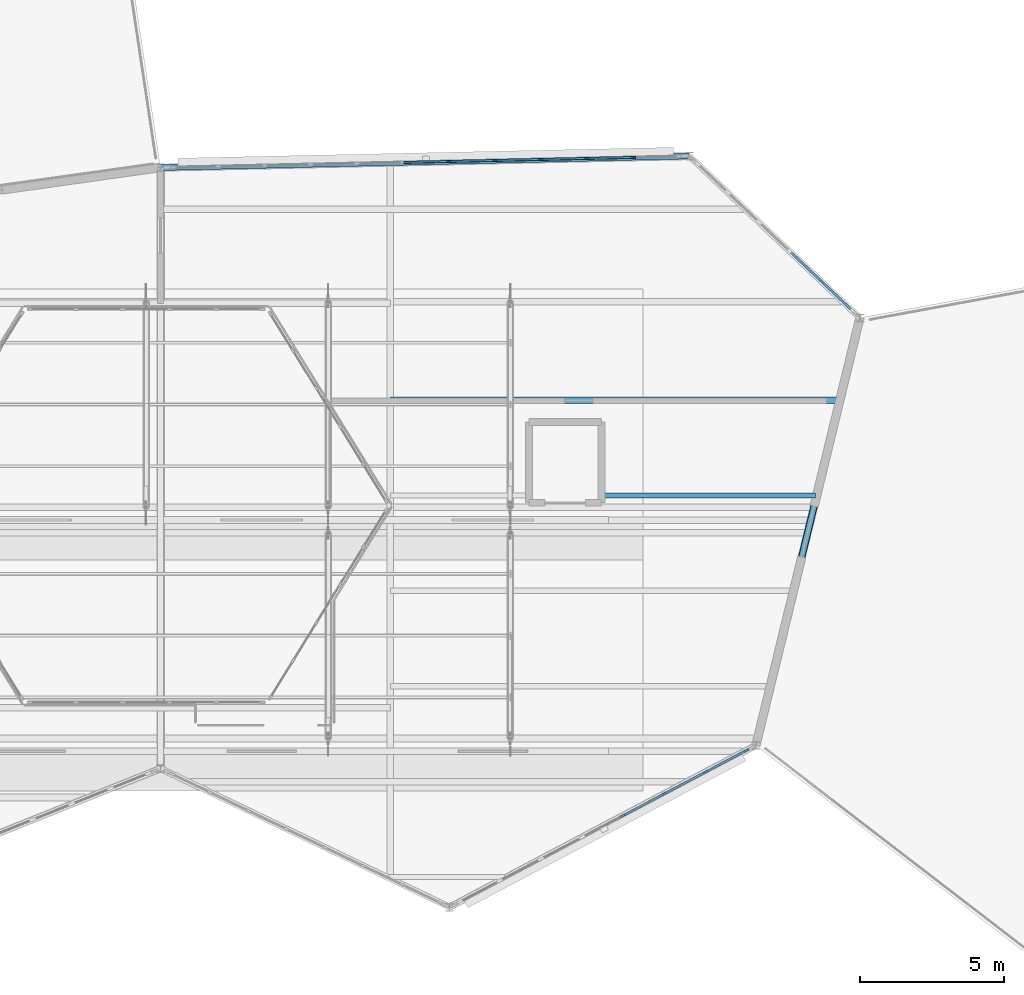
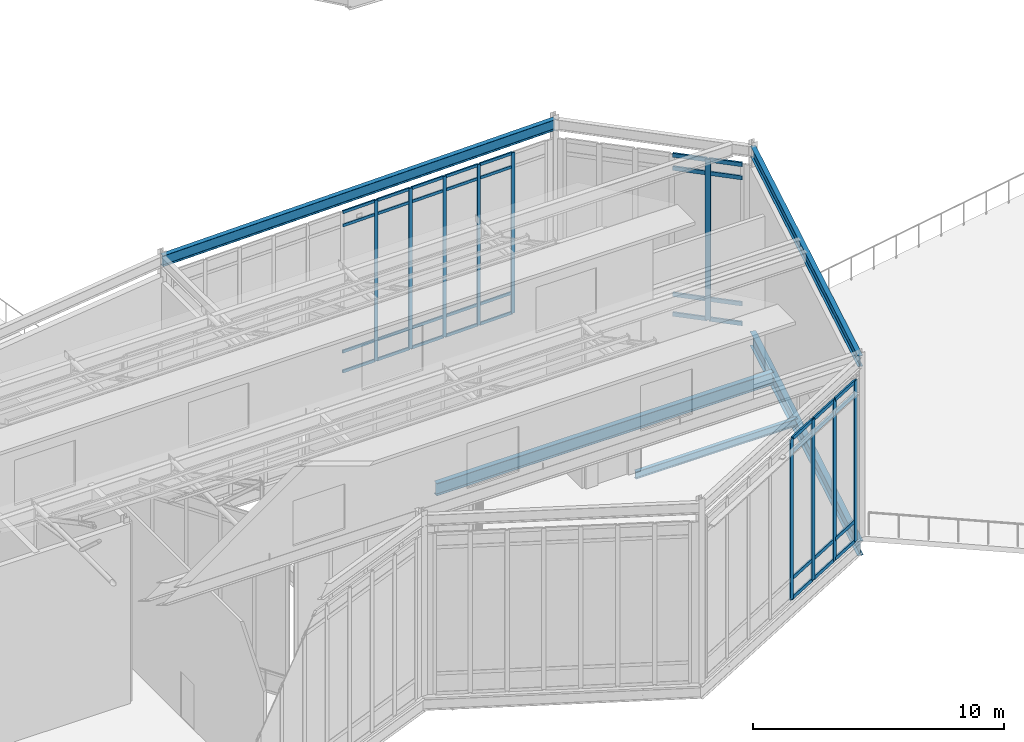
# One storey, part 30 of 66: 50 members, 5 beams, 3 elements without a shape of their own.
"""IFC4 building model written with IfcOpenShell, lengths in metres."""

import ifcopenshell
import ifcopenshell.guid

model = None  # the IFC model being written
_history = None  # IfcOwnerHistory: only IFC2X3 demands one
_inside = {}  # id of a spatial element -> (the spatial element, [elements in it])
_under = {}  # id of a project, library or spatial element -> (it, [spatial elements below it])
_declared = {}  # id of a project -> (the project, [libraries it declares])
_typed = {}  # id of a type object -> (the type object, [elements of that type])
_made_of = {}  # id of a material, layer set ... -> (it, [elements and type objects made of it])


def new_model(schema):
    """Start an empty IFC model of exactly this schema.

    Asked for "IFC4X3", IfcOpenShell would pick the latest addendum, in which some entities
    have other attributes; the version numbers below select the first issue.
    IFC2X3 requires an IfcOwnerHistory on every rooted entity: one is made here for all.
    """
    global model, _history
    if schema == "IFC4X3":
        model = ifcopenshell.file(schema_version=(4, 3, 0, 0))
    else:
        model = ifcopenshell.file(schema=schema)
    _inside.clear()
    _under.clear()
    _declared.clear()
    _typed.clear()
    _made_of.clear()
    _history = None
    if model.schema == "IFC2X3":
        org = make("IfcOrganization", Name="unknown")
        user = make(
            "IfcPersonAndOrganization",
            ThePerson=make("IfcPerson", FamilyName="unknown"),
            TheOrganization=org,
        )
        app = make(
            "IfcApplication",
            ApplicationDeveloper=org,
            Version="unknown",
            ApplicationFullName="unknown",
            ApplicationIdentifier="unknown",
        )
        _history = make(
            "IfcOwnerHistory",
            OwningUser=user,
            OwningApplication=app,
            ChangeAction="ADDED",
            CreationDate=0,
        )
    return model


def make(cls, **values):
    """One entity of the class cls with the attributes given. An attribute that is None is left unset."""
    return model.create_entity(
        cls, **{name: value for name, value in values.items() if value is not None}
    )


def rooted(cls, **values):
    """An entity with a GlobalId (a new one), such as an element, a storey or a relation."""
    return make(cls, GlobalId=ifcopenshell.guid.new(), OwnerHistory=_history, **values)


def si_unit(unit_type, name, prefix=None):
    """IfcSIUnit, for example si_unit("LENGTHUNIT", "METRE", prefix="MILLI")."""
    return make("IfcSIUnit", UnitType=unit_type, Prefix=prefix, Name=name)


def assignment(units):
    """IfcUnitAssignment: the units of a project."""
    return None if units is None else make("IfcUnitAssignment", Units=units)


def point(xyz):
    """IfcCartesianPoint."""
    return None if xyz is None else make("IfcCartesianPoint", Coordinates=xyz)


def direction(xyz):
    """IfcDirection."""
    return None if xyz is None else make("IfcDirection", DirectionRatios=xyz)


def frame(location, z_axis=None, x_axis=None):
    """IfcAxis2Placement3D, a coordinate frame: its origin and axes. An axis left out is left unset."""
    return make(
        "IfcAxis2Placement3D",
        Location=point(location),
        Axis=direction(z_axis),
        RefDirection=direction(x_axis),
    )


def frame_2d(location, x_axis=None):
    """IfcAxis2Placement2D, a coordinate frame in the plane: its origin and x axis."""
    return make(
        "IfcAxis2Placement2D", Location=point(location), RefDirection=direction(x_axis)
    )


def origin():
    """The frame at (0, 0, 0) with its axes left unset."""
    return frame((0.0, 0.0, 0.0))


def origin_2d():
    """The frame at (0, 0) in the plane with its x axis left unset."""
    return frame_2d((0.0, 0.0))


def place(relative_to, where):
    """IfcLocalPlacement: puts the frame where relative to a parent placement (None: the world)."""
    return make(
        "IfcLocalPlacement", PlacementRelTo=relative_to, RelativePlacement=where
    )


def context(
    kind, dimensions, precision=None, world=None, true_north=None, identifier=None
):
    """IfcGeometricRepresentationContext, for example the 3D "Model" context."""
    return make(
        "IfcGeometricRepresentationContext",
        ContextIdentifier=identifier,
        ContextType=kind,
        CoordinateSpaceDimension=dimensions,
        Precision=precision,
        WorldCoordinateSystem=world,
        TrueNorth=true_north,
    )


def subcontext(parent, identifier, kind, view, scale=None):
    """IfcGeometricRepresentationSubContext, for example "Body" below "Model"."""
    return make(
        "IfcGeometricRepresentationSubContext",
        ContextIdentifier=identifier,
        ContextType=kind,
        ParentContext=parent,
        TargetScale=scale,
        TargetView=view,
    )


def project(units=None, contexts=None):
    """IfcProject with its units and contexts."""
    return rooted(
        "IfcProject",
        Name="project",
        RepresentationContexts=contexts,
        UnitsInContext=assignment(units),
    )


def spatial(cls, under=None, at=None, **own):
    """A site, building, storey or space (cls), placed at a placement, below another one or the project."""
    s = rooted(cls, ObjectPlacement=at, **own)
    if under is not None:
        _under.setdefault(under.id(), (under, []))[1].append(s)
    return s


def profile(cls, at=None, kind="AREA", **sizes):
    """A parametric profile (cls). Its sizes go by their IFC names, for example OverallWidth=200.0."""
    return make(cls, ProfileType=kind, Position=at, **sizes)


def rectangle(**sizes):
    """IfcRectangleProfileDef."""
    return profile("IfcRectangleProfileDef", **sizes)


def i_section(**sizes):
    """IfcIShapeProfileDef."""
    return profile("IfcIShapeProfileDef", **sizes)


def extrude(swept, where, along, depth):
    """IfcExtrudedAreaSolid: the profile swept, set in the frame where, extruded along a direction by depth."""
    return make(
        "IfcExtrudedAreaSolid",
        SweptArea=swept,
        Position=where,
        ExtrudedDirection=direction(along),
        Depth=depth,
    )


def shape(context_of_items, identifier, shape_type, items):
    """IfcShapeRepresentation: the items that make up one representation, for example the "Body"."""
    return make(
        "IfcShapeRepresentation",
        ContextOfItems=context_of_items,
        RepresentationIdentifier=identifier,
        RepresentationType=shape_type,
        Items=items,
    )


def material(Name=None, Category=None):
    """IfcMaterial."""
    return make("IfcMaterial", Name=Name, Category=Category)


def material_profile(
    of_material, cross_section, Name=None, Category=None, Priority=None
):
    """IfcMaterialProfile: a cross section and its material."""
    return make(
        "IfcMaterialProfile",
        Name=Name,
        Material=of_material,
        Profile=cross_section,
        Priority=Priority,
        Category=Category,
    )


def profile_set(profiles, Name=None, composite=None):
    """IfcMaterialProfileSet."""
    return make(
        "IfcMaterialProfileSet",
        Name=Name,
        MaterialProfiles=profiles,
        CompositeProfile=composite,
    )


def made_of(thing, what):
    """Note that an element or type object is made of a material, layer set ...; save() writes the relation."""
    if what is not None:
        _made_of.setdefault(what.id(), (what, []))[1].append(thing)
    return thing


def type_object(cls, material=None, **own):
    """A type object (cls), such as IfcWallType, which elements share."""
    return made_of(rooted(cls, **own), material)


def element(
    cls,
    number,
    at=None,
    inside=None,
    cuts=None,
    type_object=None,
    material=None,
    context=None,
    identifier="Body",
    shape_type=None,
    held_by="IfcProductDefinitionShape",
    body=None,
    shapes=None,
    **own,
):
    """One element of the class cls, such as IfcWall. Its Tag is "e" and its number.

    at: its placement. inside: the storey or other place that contains it. cuts: it is an
    opening in that element (IfcRelVoidsElement). A single representation is given by context,
    identifier, shape_type and body (its items); several are given by shapes. held_by: the class
    of the entity that holds the representations. save() writes the other relations.
    """
    e = rooted(cls, Tag="e%d" % number, ObjectPlacement=at, **own)
    if body is not None:
        shapes = [shape(context, identifier, shape_type, body)]
    if shapes is not None:
        e.Representation = make(held_by, Representations=shapes)
    if inside is not None:
        _inside.setdefault(inside.id(), (inside, []))[1].append(e)
    if cuts is not None:
        rooted(
            "IfcRelVoidsElement", RelatingBuildingElement=cuts, RelatedOpeningElement=e
        )
    if type_object is not None:
        _typed.setdefault(type_object.id(), (type_object, []))[1].append(e)
    return made_of(e, material)


def aggregate(whole, parts):
    """IfcRelAggregates: a whole, such as a stair, and the parts it consists of."""
    return rooted("IfcRelAggregates", RelatingObject=whole, RelatedObjects=parts)


def save(model, path):
    """Write the relations noted so far, then the file.

    IfcRelAggregates (storeys below a building ...), IfcRelContainedInSpatialStructure (elements
    in a storey), IfcRelDefinesByType, IfcRelAssociatesMaterial and IfcRelDeclares: one each for
    every whole, place, type object, material and project.
    """
    for whole, parts in _under.values():
        aggregate(whole, parts)
    for where, things in _inside.values():
        rooted(
            "IfcRelContainedInSpatialStructure",
            RelatedElements=things,
            RelatingStructure=where,
        )
    for kind, things in _typed.values():
        rooted("IfcRelDefinesByType", RelatedObjects=things, RelatingType=kind)
    for what, things in _made_of.values():
        rooted("IfcRelAssociatesMaterial", RelatedObjects=things, RelatingMaterial=what)
    for by, libraries in _declared.values():
        rooted("IfcRelDeclares", RelatingContext=by, RelatedDefinitions=libraries)
    model.write(path)


model = new_model("IFC4")

# Units and contexts
model_context = context("Model", 3, precision=1e-05, world=origin(), true_north=direction((0.0, 1.0)))
body_context = subcontext(model_context, "Body", "Model", "MODEL_VIEW")
ifc_project = project(units=[si_unit("LENGTHUNIT", "METRE"), si_unit("AREAUNIT", "SQUARE_METRE"), si_unit("VOLUMEUNIT", "CUBIC_METRE"), si_unit("PLANEANGLEUNIT", "RADIAN"), si_unit("MASSUNIT", "GRAM", prefix="KILO")], contexts=[model_context])

# Site, building, storey
site_placement = place(None, origin())
site = spatial("IfcSite", under=ifc_project, at=site_placement, CompositionType="ELEMENT")
building_placement = place(site_placement, origin())
building = spatial("IfcBuilding", under=site, at=building_placement, Name="Tameran Prism Museum", CompositionType="ELEMENT")
storey_placement = place(building_placement, frame((0.0, 0.0, 19.800048828125)))
storey = spatial("IfcBuildingStorey", under=building, at=storey_placement, Name="L04", CompositionType="ELEMENT", Elevation=19.800048828125)

# Beams
ifc_material_1 = material(Name="Steel Grade 300PLUS (300 MPa)", Category="steel")
ifc_material_profile_1 = material_profile(ifc_material_1, i_section(OverallWidth=0.1708984375, OverallDepth=0.35595703125, WebThickness=0.00732421875, FlangeThickness=0.011474609375, FilletRadius=0.011474609375, at=origin_2d()))
ifc_profile_set_1 = profile_set([ifc_material_profile_1])
beam_type_1 = type_object("IfcBeamType", Name="BM-J360B", PredefinedType="JOIST", material=ifc_profile_set_1)
beam_1_placement = place(storey_placement, frame((92.72998046875, 36.85009765625, -0.3779296875), z_axis=(1.0, 0.0, 0.0), x_axis=(0.0, 1.0, 0.0)))
element("IfcBeam", 1, at=beam_1_placement, inside=storey, type_object=beam_type_1, Name="Floor Beam BM-1238", PredefinedType="JOIST", context=body_context, shape_type="SweptSolid", body=[
    extrude(i_section(OverallWidth=0.1708984375, OverallDepth=0.35595703125, WebThickness=0.00732421875, FlangeThickness=0.011474609375, FilletRadius=0.011474609375, at=origin_2d()), origin(), (0.0, 0.0, 1.0), 7.43310546875),
])
ifc_material_2 = material(Name="Steel Grade 300PLUS (300 MPa)", Category="steel")
ifc_material_profile_2 = material_profile(ifc_material_2, i_section(OverallWidth=0.208984375, OverallDepth=0.528076171875, WebThickness=0.009521484375, FlangeThickness=0.01318359375, FilletRadius=0.013916015625, at=origin_2d()))
ifc_profile_set_2 = profile_set([ifc_material_profile_2])
beam_type_2 = type_object("IfcBeamType", Name="BM-SP530B", PredefinedType="SPANDREL", material=ifc_profile_set_2)
beam_2_placement = place(storey_placement, frame((98.10009765625, 28.199951171875, 8.505859375), z_axis=(0.236341762997, 0.971669990822, 0.0), x_axis=(-0.971669990822, 0.236341762997, 0.0)))
element("IfcBeam", 2, at=beam_2_placement, inside=storey, type_object=beam_type_2, Name="Roof Ring Beam RB-1174", PredefinedType="SPANDREL", context=body_context, shape_type="SweptSolid", body=[
    extrude(i_section(OverallWidth=0.208984375, OverallDepth=0.528076171875, WebThickness=0.009521484375, FlangeThickness=0.01318359375, FilletRadius=0.013916015625, at=origin_2d()), origin(), (0.0, 0.0, 1.0), 15.2314453125),
])
beam_3_placement = place(storey_placement, frame((95.800048828125, 48.60009765625, 8.505859375), z_axis=(-0.999761027559, -0.021860644425, 0.0), x_axis=(0.021860644425, -0.999761027559, 0.0)))
element("IfcBeam", 3, at=beam_3_placement, inside=storey, type_object=beam_type_2, Name="Roof Ring Beam RB-1176", PredefinedType="SPANDREL", context=body_context, shape_type="SweptSolid", body=[
    extrude(i_section(OverallWidth=0.208984375, OverallDepth=0.528076171875, WebThickness=0.009521484375, FlangeThickness=0.01318359375, FilletRadius=0.013916015625, at=origin_2d()), origin(), (0.0, 0.0, 1.0), 18.304443359375),
])
ifc_material_3 = material(Name="Steel Grade 350 (350 MPa)", Category="steel")
ifc_material_profile_3 = material_profile(ifc_material_3, i_section(OverallWidth=0.25, OverallDepth=0.699951171875, WebThickness=0.010009765625, FlangeThickness=0.02001953125, at=origin_2d()))
ifc_profile_set_3 = profile_set([ifc_material_profile_3])
beam_type_3 = type_object("IfcBeamType", Name="BM-SP700", PredefinedType="SPANDREL", material=ifc_profile_set_3)
beam_4_placement = place(storey_placement, frame((98.10009765625, 28.199951171875, -0.60009765625), z_axis=(0.236341762997, 0.971669990822, 0.0), x_axis=(-0.971669990822, 0.236341762997, 0.0)))
element("IfcBeam", 4, at=beam_4_placement, inside=storey, type_object=beam_type_3, Name="Perimeter Spandrel SP-1169", PredefinedType="SPANDREL", context=body_context, shape_type="SweptSolid", body=[
    extrude(i_section(OverallWidth=0.25, OverallDepth=0.699951171875, WebThickness=0.010009765625, FlangeThickness=0.02001953125, at=origin_2d()), origin(), (0.0, 0.0, 1.0), 15.2314453125),
])
ifc_material_4 = material(Name="Steel Grade 300PLUS (300 MPa)", Category="steel")
ifc_material_profile_4 = material_profile(ifc_material_4, i_section(OverallWidth=0.22802734375, OverallDepth=0.60693359375, WebThickness=0.01123046875, FlangeThickness=0.017333984375, FilletRadius=0.013916015625, at=origin_2d()))
ifc_profile_set_4 = profile_set([ifc_material_profile_4])
beam_type_4 = type_object("IfcBeamType", Name="BM-UB610B", PredefinedType="BEAM", material=ifc_profile_set_4)
beam_5_placement = place(storey_placement, frame((85.449951171875, 40.14990234375, -0.503662109375), z_axis=(1.0, 0.0, 0.0), x_axis=(0.0, 1.0, 0.0)))
element("IfcBeam", 5, at=beam_5_placement, inside=storey, type_object=beam_type_4, Name="Floor Beam BM-1239", PredefinedType="BEAM", context=body_context, shape_type="SweptSolid", body=[
    extrude(i_section(OverallWidth=0.22802734375, OverallDepth=0.60693359375, WebThickness=0.01123046875, FlangeThickness=0.017333984375, FilletRadius=0.013916015625, at=origin_2d()), origin(), (0.0, 0.0, 1.0), 15.51611328125),
])

# Curtain wall, members
ifc_material_5 = material(Name="Anodised Aluminium 6063-T6 and Cyclone Solar Glass", Category="aluminium")
curtain_wall_type_1 = type_object("IfcCurtainWallType", Name="CW-FAC-1754x782", PredefinedType="USERDEFINED", material=ifc_material_5)
curtain_wall_1_placement = place(storey_placement, origin())
curtain_wall_1 = element("IfcCurtainWall", 6, at=curtain_wall_1_placement, inside=storey, type_object=curtain_wall_type_1, Name="Unitised Curtain Wall CW-163", ObjectType="UNITISED CURTAIN WALL", PredefinedType="USERDEFINED")
ifc_material_6 = material(Name="Anodised Aluminium Alloy 6063-T6", Category="aluminium")
ifc_material_profile_5 = material_profile(ifc_material_6, rectangle(XDim=0.06494140625, YDim=0.159912109375, at=origin_2d()))
ifc_profile_set_5 = profile_set([ifc_material_profile_5])
member_type_1 = type_object("IfcMemberType", Name="CW-MUL-A", PredefinedType="MULLION", material=ifc_profile_set_5)
member_1_placement = place(storey_placement, frame((87.477294921875, 48.41796875, 0.0), z_axis=(0.0, 0.0, 1.0), x_axis=(-0.021830600058, 0.999761684053, 0.0)))
member_1 = element("IfcMember", 7, at=member_1_placement, type_object=member_type_1, Name="CW-163 mullion 7", PredefinedType="MULLION", context=body_context, shape_type="SweptSolid", body=[
    extrude(rectangle(XDim=0.06494140625, YDim=0.159912109375, at=origin_2d()), origin(), (0.0, 0.0, 1.0), 7.820068359375),
])
member_2_placement = place(storey_placement, frame((89.07177734375, 48.45263671875, 0.0), z_axis=(0.0, 0.0, 1.0), x_axis=(-0.021830600058, 0.999761684053, 0.0)))
member_2 = element("IfcMember", 8, at=member_2_placement, type_object=member_type_1, Name="CW-163 mullion 8", PredefinedType="MULLION", context=body_context, shape_type="SweptSolid", body=[
    extrude(rectangle(XDim=0.06494140625, YDim=0.159912109375, at=origin_2d()), origin(), (0.0, 0.0, 1.0), 7.820068359375),
])
member_3_placement = place(storey_placement, frame((90.666259765625, 48.487548828125, 0.0), z_axis=(0.0, 0.0, 1.0), x_axis=(-0.021830600058, 0.999761684053, 0.0)))
member_3 = element("IfcMember", 9, at=member_3_placement, type_object=member_type_1, Name="CW-163 mullion 9", PredefinedType="MULLION", context=body_context, shape_type="SweptSolid", body=[
    extrude(rectangle(XDim=0.06494140625, YDim=0.159912109375, at=origin_2d()), origin(), (0.0, 0.0, 1.0), 7.820068359375),
])
member_4_placement = place(storey_placement, frame((92.260986328125, 48.5224609375, 0.0), z_axis=(0.0, 0.0, 1.0), x_axis=(-0.021830600058, 0.999761684053, 0.0)))
member_4 = element("IfcMember", 10, at=member_4_placement, type_object=member_type_1, Name="CW-163 mullion 10", PredefinedType="MULLION", context=body_context, shape_type="SweptSolid", body=[
    extrude(rectangle(XDim=0.06494140625, YDim=0.159912109375, at=origin_2d()), origin(), (0.0, 0.0, 1.0), 7.820068359375),
])
member_5_placement = place(storey_placement, frame((93.85546875, 48.55712890625, 0.0), z_axis=(0.0, 0.0, 1.0), x_axis=(-0.021830600058, 0.999761684053, 0.0)))
member_5 = element("IfcMember", 11, at=member_5_placement, type_object=member_type_1, Name="CW-163 mullion 11", PredefinedType="MULLION", context=body_context, shape_type="SweptSolid", body=[
    extrude(rectangle(XDim=0.06494140625, YDim=0.159912109375, at=origin_2d()), origin(), (0.0, 0.0, 1.0), 7.820068359375),
])

ifc_material_7 = material(Name="Anodised Aluminium 6063-T6 and Cyclone Solar Glass", Category="aluminium")
curtain_wall_type_2 = type_object("IfcCurtainWallType", Name="CW-FAC-1129x782", PredefinedType="USERDEFINED", material=ifc_material_7)
curtain_wall_2_placement = place(storey_placement, origin())
curtain_wall_2 = element("IfcCurtainWall", 12, at=curtain_wall_2_placement, inside=storey, type_object=curtain_wall_type_2, Name="Unitised Curtain Wall CW-161", ObjectType="UNITISED CURTAIN WALL", PredefinedType="USERDEFINED")
ifc_material_8 = material(Name="Anodised Aluminium Alloy 6063-T6", Category="aluminium")
ifc_material_profile_6 = material_profile(ifc_material_8, rectangle(XDim=0.074951171875, YDim=0.199951171875, at=origin_2d()))
ifc_profile_set_6 = profile_set([ifc_material_profile_6])
member_type_2 = type_object("IfcMemberType", Name="CW-MUL-C", PredefinedType="MULLION", material=ifc_profile_set_6)
member_6_placement = place(storey_placement, frame((97.7578125, 28.01953125, 0.0), z_axis=(0.0, 0.0, 1.0), x_axis=(0.467155004099, -0.884175436294, 0.0)))
member_6 = element("IfcMember", 13, at=member_6_placement, type_object=member_type_2, Name="CW-161 mullion 1", PredefinedType="MULLION", context=body_context, shape_type="SweptSolid", body=[
    extrude(rectangle(XDim=0.074951171875, YDim=0.199951171875, at=origin_2d()), origin(), (0.0, 0.0, 1.0), 7.820068359375),
])
member_7_placement = place(storey_placement, frame((96.364990234375, 27.28369140625, 0.0), z_axis=(0.0, 0.0, 1.0), x_axis=(0.467155004099, -0.884175436294, 0.0)))
member_7 = element("IfcMember", 14, at=member_7_placement, type_object=member_type_2, Name="CW-161 mullion 2", PredefinedType="MULLION", context=body_context, shape_type="SweptSolid", body=[
    extrude(rectangle(XDim=0.074951171875, YDim=0.199951171875, at=origin_2d()), origin(), (0.0, 0.0, 1.0), 7.820068359375),
])
member_8_placement = place(storey_placement, frame((94.93896484375, 26.530029296875, 0.0), z_axis=(0.0, 0.0, 1.0), x_axis=(0.467155004099, -0.884175436294, 0.0)))
member_8 = element("IfcMember", 15, at=member_8_placement, type_object=member_type_2, Name="CW-161 mullion 3", PredefinedType="MULLION", context=body_context, shape_type="SweptSolid", body=[
    extrude(rectangle(XDim=0.074951171875, YDim=0.199951171875, at=origin_2d()), origin(), (0.0, 0.0, 1.0), 7.820068359375),
])
member_9_placement = place(storey_placement, frame((93.512939453125, 25.776611328125, 0.0), z_axis=(0.0, 0.0, 1.0), x_axis=(0.467155004099, -0.884175436294, 0.0)))
member_9 = element("IfcMember", 16, at=member_9_placement, type_object=member_type_2, Name="CW-161 mullion 4", PredefinedType="MULLION", context=body_context, shape_type="SweptSolid", body=[
    extrude(rectangle(XDim=0.074951171875, YDim=0.199951171875, at=origin_2d()), origin(), (0.0, 0.0, 1.0), 7.820068359375),
])

# Curtain wall, member
ifc_material_9 = material(Name="Anodised Aluminium 6063-T6 and Cyclone Solar Glass", Category="aluminium")
curtain_wall_type_3 = type_object("IfcCurtainWallType", Name="CW-FAC-743x782", PredefinedType="USERDEFINED", material=ifc_material_9)
curtain_wall_3_placement = place(storey_placement, origin())
curtain_wall_3 = element("IfcCurtainWall", 17, at=curtain_wall_3_placement, inside=storey, type_object=curtain_wall_type_3, Name="Unitised Curtain Wall CW-162", ObjectType="UNITISED CURTAIN WALL", PredefinedType="USERDEFINED")
ifc_material_10 = material(Name="Anodised Aluminium Alloy 6063-T6", Category="aluminium")
ifc_material_profile_7 = material_profile(ifc_material_10, rectangle(XDim=0.080078125, YDim=0.219970703125, at=origin_2d()))
ifc_profile_set_7 = profile_set([ifc_material_profile_7])
member_type_3 = type_object("IfcMemberType", Name="CW-MUL-D", PredefinedType="MULLION", material=ifc_profile_set_7)
member_10_placement = place(storey_placement, frame((100.36767578125, 44.2646484375, 0.0), z_axis=(0.0, 0.0, 1.0), x_axis=(0.688438303707, 0.72529490691, 0.0)))
member_10 = element("IfcMember", 18, at=member_10_placement, type_object=member_type_3, Name="CW-162 mullion 5", PredefinedType="MULLION", context=body_context, shape_type="SweptSolid", body=[
    extrude(rectangle(XDim=0.080078125, YDim=0.219970703125, at=origin_2d()), origin(), (0.0, 0.0, 1.0), 7.820068359375),
])

# Member
ifc_material_11 = material(Name="Anodised Aluminium Alloy 6063-T6", Category="aluminium")
ifc_material_profile_8 = material_profile(ifc_material_11, rectangle(XDim=0.06494140625, YDim=0.139892578125, at=origin_2d()))
ifc_profile_set_8 = profile_set([ifc_material_profile_8])
member_type_4 = type_object("IfcMemberType", Name="CW-TRN-A", PredefinedType="USERDEFINED", material=ifc_profile_set_8)
member_11_placement = place(storey_placement, frame((85.915283203125, 48.3837890625, 0.032470703125), z_axis=(0.999760991544, 0.021862291435, 0.0), x_axis=(-0.021862291435, 0.999760991544, 0.0)))
member_11 = element("IfcMember", 19, at=member_11_placement, type_object=member_type_4, Name="CW-163 transom 6.1", ObjectType="TRANSOM", PredefinedType="USERDEFINED", context=body_context, shape_type="SweptSolid", body=[
    extrude(rectangle(XDim=0.06494140625, YDim=0.139892578125, at=origin_2d()), origin(), (0.0, 0.0, 1.0), 1.52978515625),
])

member_12_placement = place(storey_placement, frame((85.915283203125, 48.3837890625, 1.0), z_axis=(0.999760991544, 0.021862291435, 0.0), x_axis=(-0.021862291435, 0.999760991544, 0.0)))
member_12 = element("IfcMember", 20, at=member_12_placement, type_object=member_type_4, Name="CW-163 transom 6.2", ObjectType="TRANSOM", PredefinedType="USERDEFINED", context=body_context, shape_type="SweptSolid", body=[
    extrude(rectangle(XDim=0.06494140625, YDim=0.139892578125, at=origin_2d()), origin(), (0.0, 0.0, 1.0), 1.52978515625),
])

member_13_placement = place(storey_placement, frame((85.915283203125, 48.3837890625, 7.139892578125), z_axis=(0.999760991544, 0.021862291435, 0.0), x_axis=(-0.021862291435, 0.999760991544, 0.0)))
member_13 = element("IfcMember", 21, at=member_13_placement, type_object=member_type_4, Name="CW-163 transom 6.3", ObjectType="TRANSOM", PredefinedType="USERDEFINED", context=body_context, shape_type="SweptSolid", body=[
    extrude(rectangle(XDim=0.06494140625, YDim=0.139892578125, at=origin_2d()), origin(), (0.0, 0.0, 1.0), 1.52978515625),
])

member_14_placement = place(storey_placement, frame((85.915283203125, 48.3837890625, 7.787353515625), z_axis=(0.999760991544, 0.021862291435, 0.0), x_axis=(-0.021862291435, 0.999760991544, 0.0)))
member_14 = element("IfcMember", 22, at=member_14_placement, type_object=member_type_4, Name="CW-163 transom 6.4", ObjectType="TRANSOM", PredefinedType="USERDEFINED", context=body_context, shape_type="SweptSolid", body=[
    extrude(rectangle(XDim=0.06494140625, YDim=0.139892578125, at=origin_2d()), origin(), (0.0, 0.0, 1.0), 1.52978515625),
])

member_15_placement = place(storey_placement, frame((87.509765625, 48.418701171875, 0.032470703125), z_axis=(0.999764466756, 0.021702788105, 0.0), x_axis=(-0.021702788105, 0.999764466756, 0.0)))
member_15 = element("IfcMember", 23, at=member_15_placement, type_object=member_type_4, Name="CW-163 transom 7.1", ObjectType="TRANSOM", PredefinedType="USERDEFINED", context=body_context, shape_type="SweptSolid", body=[
    extrude(rectangle(XDim=0.06494140625, YDim=0.139892578125, at=origin_2d()), origin(), (0.0, 0.0, 1.0), 1.52978515625),
])

member_16_placement = place(storey_placement, frame((87.509765625, 48.418701171875, 1.0), z_axis=(0.999764466756, 0.021702788105, 0.0), x_axis=(-0.021702788105, 0.999764466756, 0.0)))
member_16 = element("IfcMember", 24, at=member_16_placement, type_object=member_type_4, Name="CW-163 transom 7.2", ObjectType="TRANSOM", PredefinedType="USERDEFINED", context=body_context, shape_type="SweptSolid", body=[
    extrude(rectangle(XDim=0.06494140625, YDim=0.139892578125, at=origin_2d()), origin(), (0.0, 0.0, 1.0), 1.52978515625),
])

member_17_placement = place(storey_placement, frame((87.509765625, 48.418701171875, 7.139892578125), z_axis=(0.999764466756, 0.021702788105, 0.0), x_axis=(-0.021702788105, 0.999764466756, 0.0)))
member_17 = element("IfcMember", 25, at=member_17_placement, type_object=member_type_4, Name="CW-163 transom 7.3", ObjectType="TRANSOM", PredefinedType="USERDEFINED", context=body_context, shape_type="SweptSolid", body=[
    extrude(rectangle(XDim=0.06494140625, YDim=0.139892578125, at=origin_2d()), origin(), (0.0, 0.0, 1.0), 1.52978515625),
])

member_18_placement = place(storey_placement, frame((87.509765625, 48.418701171875, 7.787353515625), z_axis=(0.999764466756, 0.021702788105, 0.0), x_axis=(-0.021702788105, 0.999764466756, 0.0)))
member_18 = element("IfcMember", 26, at=member_18_placement, type_object=member_type_4, Name="CW-163 transom 7.4", ObjectType="TRANSOM", PredefinedType="USERDEFINED", context=body_context, shape_type="SweptSolid", body=[
    extrude(rectangle(XDim=0.06494140625, YDim=0.139892578125, at=origin_2d()), origin(), (0.0, 0.0, 1.0), 1.52978515625),
])

member_19_placement = place(storey_placement, frame((89.104248046875, 48.453369140625, 0.032470703125), z_axis=(0.999760991544, 0.021862291435, 0.0), x_axis=(-0.021862291435, 0.999760991544, 0.0)))
member_19 = element("IfcMember", 27, at=member_19_placement, type_object=member_type_4, Name="CW-163 transom 8.1", ObjectType="TRANSOM", PredefinedType="USERDEFINED", context=body_context, shape_type="SweptSolid", body=[
    extrude(rectangle(XDim=0.06494140625, YDim=0.139892578125, at=origin_2d()), origin(), (0.0, 0.0, 1.0), 1.52978515625),
])

member_20_placement = place(storey_placement, frame((89.104248046875, 48.453369140625, 1.0), z_axis=(0.999760991544, 0.021862291435, 0.0), x_axis=(-0.021862291435, 0.999760991544, 0.0)))
member_20 = element("IfcMember", 28, at=member_20_placement, type_object=member_type_4, Name="CW-163 transom 8.2", ObjectType="TRANSOM", PredefinedType="USERDEFINED", context=body_context, shape_type="SweptSolid", body=[
    extrude(rectangle(XDim=0.06494140625, YDim=0.139892578125, at=origin_2d()), origin(), (0.0, 0.0, 1.0), 1.52978515625),
])

member_21_placement = place(storey_placement, frame((89.104248046875, 48.453369140625, 7.139892578125), z_axis=(0.999760991544, 0.021862291435, 0.0), x_axis=(-0.021862291435, 0.999760991544, 0.0)))
member_21 = element("IfcMember", 29, at=member_21_placement, type_object=member_type_4, Name="CW-163 transom 8.3", ObjectType="TRANSOM", PredefinedType="USERDEFINED", context=body_context, shape_type="SweptSolid", body=[
    extrude(rectangle(XDim=0.06494140625, YDim=0.139892578125, at=origin_2d()), origin(), (0.0, 0.0, 1.0), 1.52978515625),
])

member_22_placement = place(storey_placement, frame((89.104248046875, 48.453369140625, 7.787353515625), z_axis=(0.999760991544, 0.021862291435, 0.0), x_axis=(-0.021862291435, 0.999760991544, 0.0)))
member_22 = element("IfcMember", 30, at=member_22_placement, type_object=member_type_4, Name="CW-163 transom 8.4", ObjectType="TRANSOM", PredefinedType="USERDEFINED", context=body_context, shape_type="SweptSolid", body=[
    extrude(rectangle(XDim=0.06494140625, YDim=0.139892578125, at=origin_2d()), origin(), (0.0, 0.0, 1.0), 1.52978515625),
])

member_23_placement = place(storey_placement, frame((90.698974609375, 48.48828125, 0.032470703125), z_axis=(0.999760991544, 0.021862291435, 0.0), x_axis=(-0.021862291435, 0.999760991544, 0.0)))
member_23 = element("IfcMember", 31, at=member_23_placement, type_object=member_type_4, Name="CW-163 transom 9.1", ObjectType="TRANSOM", PredefinedType="USERDEFINED", context=body_context, shape_type="SweptSolid", body=[
    extrude(rectangle(XDim=0.06494140625, YDim=0.139892578125, at=origin_2d()), origin(), (0.0, 0.0, 1.0), 1.52978515625),
])

member_24_placement = place(storey_placement, frame((90.698974609375, 48.48828125, 1.0), z_axis=(0.999760991544, 0.021862291435, 0.0), x_axis=(-0.021862291435, 0.999760991544, 0.0)))
member_24 = element("IfcMember", 32, at=member_24_placement, type_object=member_type_4, Name="CW-163 transom 9.2", ObjectType="TRANSOM", PredefinedType="USERDEFINED", context=body_context, shape_type="SweptSolid", body=[
    extrude(rectangle(XDim=0.06494140625, YDim=0.139892578125, at=origin_2d()), origin(), (0.0, 0.0, 1.0), 1.52978515625),
])

member_25_placement = place(storey_placement, frame((90.698974609375, 48.48828125, 7.139892578125), z_axis=(0.999760991544, 0.021862291435, 0.0), x_axis=(-0.021862291435, 0.999760991544, 0.0)))
member_25 = element("IfcMember", 33, at=member_25_placement, type_object=member_type_4, Name="CW-163 transom 9.3", ObjectType="TRANSOM", PredefinedType="USERDEFINED", context=body_context, shape_type="SweptSolid", body=[
    extrude(rectangle(XDim=0.06494140625, YDim=0.139892578125, at=origin_2d()), origin(), (0.0, 0.0, 1.0), 1.52978515625),
])

member_26_placement = place(storey_placement, frame((90.698974609375, 48.48828125, 7.787353515625), z_axis=(0.999760991544, 0.021862291435, 0.0), x_axis=(-0.021862291435, 0.999760991544, 0.0)))
member_26 = element("IfcMember", 34, at=member_26_placement, type_object=member_type_4, Name="CW-163 transom 9.4", ObjectType="TRANSOM", PredefinedType="USERDEFINED", context=body_context, shape_type="SweptSolid", body=[
    extrude(rectangle(XDim=0.06494140625, YDim=0.139892578125, at=origin_2d()), origin(), (0.0, 0.0, 1.0), 1.52978515625),
])

member_27_placement = place(storey_placement, frame((92.29345703125, 48.523193359375, 0.032470703125), z_axis=(0.999764466756, 0.021702788105, 0.0), x_axis=(-0.021702788105, 0.999764466756, 0.0)))
member_27 = element("IfcMember", 35, at=member_27_placement, type_object=member_type_4, Name="CW-163 transom 10.1", ObjectType="TRANSOM", PredefinedType="USERDEFINED", context=body_context, shape_type="SweptSolid", body=[
    extrude(rectangle(XDim=0.06494140625, YDim=0.139892578125, at=origin_2d()), origin(), (0.0, 0.0, 1.0), 1.52978515625),
])

member_28_placement = place(storey_placement, frame((92.29345703125, 48.523193359375, 1.0), z_axis=(0.999764466756, 0.021702788105, 0.0), x_axis=(-0.021702788105, 0.999764466756, 0.0)))
member_28 = element("IfcMember", 36, at=member_28_placement, type_object=member_type_4, Name="CW-163 transom 10.2", ObjectType="TRANSOM", PredefinedType="USERDEFINED", context=body_context, shape_type="SweptSolid", body=[
    extrude(rectangle(XDim=0.06494140625, YDim=0.139892578125, at=origin_2d()), origin(), (0.0, 0.0, 1.0), 1.52978515625),
])

member_29_placement = place(storey_placement, frame((92.29345703125, 48.523193359375, 7.139892578125), z_axis=(0.999764466756, 0.021702788105, 0.0), x_axis=(-0.021702788105, 0.999764466756, 0.0)))
member_29 = element("IfcMember", 37, at=member_29_placement, type_object=member_type_4, Name="CW-163 transom 10.3", ObjectType="TRANSOM", PredefinedType="USERDEFINED", context=body_context, shape_type="SweptSolid", body=[
    extrude(rectangle(XDim=0.06494140625, YDim=0.139892578125, at=origin_2d()), origin(), (0.0, 0.0, 1.0), 1.52978515625),
])

member_30_placement = place(storey_placement, frame((92.29345703125, 48.523193359375, 7.787353515625), z_axis=(0.999764466756, 0.021702788105, 0.0), x_axis=(-0.021702788105, 0.999764466756, 0.0)))
member_30 = element("IfcMember", 38, at=member_30_placement, type_object=member_type_4, Name="CW-163 transom 10.4", ObjectType="TRANSOM", PredefinedType="USERDEFINED", context=body_context, shape_type="SweptSolid", body=[
    extrude(rectangle(XDim=0.06494140625, YDim=0.139892578125, at=origin_2d()), origin(), (0.0, 0.0, 1.0), 1.52978515625),
])

aggregate(curtain_wall_1, [member_1, member_2, member_3, member_4, member_5, member_11, member_12, member_13, member_14, member_15, member_16, member_17, member_18, member_19, member_20, member_21, member_22, member_23, member_24, member_25, member_26, member_27, member_28, member_29, member_30])

ifc_material_12 = material(Name="Anodised Aluminium Alloy 6063-T6", Category="aluminium")
ifc_material_profile_9 = material_profile(ifc_material_12, rectangle(XDim=0.074951171875, YDim=0.175048828125, at=origin_2d()))
ifc_profile_set_9 = profile_set([ifc_material_profile_9])
member_type_5 = type_object("IfcMemberType", Name="CW-TRN-C", PredefinedType="USERDEFINED", material=ifc_profile_set_9)
member_31_placement = place(storey_placement, frame((97.724609375, 28.001953125, 0.037353515625), z_axis=(-0.884143919736, -0.467214650021, 0.0), x_axis=(0.467214650021, -0.884143919736, 0.0)))
member_31 = element("IfcMember", 39, at=member_31_placement, type_object=member_type_5, Name="CW-161 transom 1.1", ObjectType="TRANSOM", PredefinedType="USERDEFINED", context=body_context, shape_type="SweptSolid", body=[
    extrude(rectangle(XDim=0.074951171875, YDim=0.175048828125, at=origin_2d()), origin(), (0.0, 0.0, 1.0), 1.500244140625),
])

member_32_placement = place(storey_placement, frame((97.724609375, 28.001953125, 1.0), z_axis=(-0.884143919736, -0.467214650021, 0.0), x_axis=(0.467214650021, -0.884143919736, 0.0)))
member_32 = element("IfcMember", 40, at=member_32_placement, type_object=member_type_5, Name="CW-161 transom 1.2", ObjectType="TRANSOM", PredefinedType="USERDEFINED", context=body_context, shape_type="SweptSolid", body=[
    extrude(rectangle(XDim=0.074951171875, YDim=0.175048828125, at=origin_2d()), origin(), (0.0, 0.0, 1.0), 1.500244140625),
])

member_33_placement = place(storey_placement, frame((97.724609375, 28.001953125, 7.139892578125), z_axis=(-0.884143919736, -0.467214650021, 0.0), x_axis=(0.467214650021, -0.884143919736, 0.0)))
member_33 = element("IfcMember", 41, at=member_33_placement, type_object=member_type_5, Name="CW-161 transom 1.3", ObjectType="TRANSOM", PredefinedType="USERDEFINED", context=body_context, shape_type="SweptSolid", body=[
    extrude(rectangle(XDim=0.074951171875, YDim=0.175048828125, at=origin_2d()), origin(), (0.0, 0.0, 1.0), 1.500244140625),
])

member_34_placement = place(storey_placement, frame((97.724609375, 28.001953125, 7.782470703125), z_axis=(-0.884143919736, -0.467214650021, 0.0), x_axis=(0.467214650021, -0.884143919736, 0.0)))
member_34 = element("IfcMember", 42, at=member_34_placement, type_object=member_type_5, Name="CW-161 transom 1.4", ObjectType="TRANSOM", PredefinedType="USERDEFINED", context=body_context, shape_type="SweptSolid", body=[
    extrude(rectangle(XDim=0.074951171875, YDim=0.175048828125, at=origin_2d()), origin(), (0.0, 0.0, 1.0), 1.500244140625),
])

member_35_placement = place(storey_placement, frame((96.331787109375, 27.26611328125, 0.037353515625), z_axis=(-0.884135228504, -0.467231096694, 0.0), x_axis=(0.467231096694, -0.884135228504, 0.0)))
member_35 = element("IfcMember", 43, at=member_35_placement, type_object=member_type_5, Name="CW-161 transom 2.1", ObjectType="TRANSOM", PredefinedType="USERDEFINED", context=body_context, shape_type="SweptSolid", body=[
    extrude(rectangle(XDim=0.074951171875, YDim=0.175048828125, at=origin_2d()), origin(), (0.0, 0.0, 1.0), 1.537841796875),
])

member_36_placement = place(storey_placement, frame((96.331787109375, 27.26611328125, 1.0), z_axis=(-0.884135228504, -0.467231096694, 0.0), x_axis=(0.467231096694, -0.884135228504, 0.0)))
member_36 = element("IfcMember", 44, at=member_36_placement, type_object=member_type_5, Name="CW-161 transom 2.2", ObjectType="TRANSOM", PredefinedType="USERDEFINED", context=body_context, shape_type="SweptSolid", body=[
    extrude(rectangle(XDim=0.074951171875, YDim=0.175048828125, at=origin_2d()), origin(), (0.0, 0.0, 1.0), 1.537841796875),
])

member_37_placement = place(storey_placement, frame((96.331787109375, 27.26611328125, 7.139892578125), z_axis=(-0.884135228504, -0.467231096694, 0.0), x_axis=(0.467231096694, -0.884135228504, 0.0)))
member_37 = element("IfcMember", 45, at=member_37_placement, type_object=member_type_5, Name="CW-161 transom 2.3", ObjectType="TRANSOM", PredefinedType="USERDEFINED", context=body_context, shape_type="SweptSolid", body=[
    extrude(rectangle(XDim=0.074951171875, YDim=0.175048828125, at=origin_2d()), origin(), (0.0, 0.0, 1.0), 1.537841796875),
])

member_38_placement = place(storey_placement, frame((96.331787109375, 27.26611328125, 7.782470703125), z_axis=(-0.884135228504, -0.467231096694, 0.0), x_axis=(0.467231096694, -0.884135228504, 0.0)))
member_38 = element("IfcMember", 46, at=member_38_placement, type_object=member_type_5, Name="CW-161 transom 2.4", ObjectType="TRANSOM", PredefinedType="USERDEFINED", context=body_context, shape_type="SweptSolid", body=[
    extrude(rectangle(XDim=0.074951171875, YDim=0.175048828125, at=origin_2d()), origin(), (0.0, 0.0, 1.0), 1.537841796875),
])

member_39_placement = place(storey_placement, frame((94.90576171875, 26.5126953125, 0.037353515625), z_axis=(-0.884135228504, -0.467231096694, 0.0), x_axis=(0.467231096694, -0.884135228504, 0.0)))
member_39 = element("IfcMember", 47, at=member_39_placement, type_object=member_type_5, Name="CW-161 transom 3.1", ObjectType="TRANSOM", PredefinedType="USERDEFINED", context=body_context, shape_type="SweptSolid", body=[
    extrude(rectangle(XDim=0.074951171875, YDim=0.175048828125, at=origin_2d()), origin(), (0.0, 0.0, 1.0), 1.537841796875),
])

member_40_placement = place(storey_placement, frame((94.90576171875, 26.5126953125, 1.0), z_axis=(-0.884135228504, -0.467231096694, 0.0), x_axis=(0.467231096694, -0.884135228504, 0.0)))
member_40 = element("IfcMember", 48, at=member_40_placement, type_object=member_type_5, Name="CW-161 transom 3.2", ObjectType="TRANSOM", PredefinedType="USERDEFINED", context=body_context, shape_type="SweptSolid", body=[
    extrude(rectangle(XDim=0.074951171875, YDim=0.175048828125, at=origin_2d()), origin(), (0.0, 0.0, 1.0), 1.537841796875),
])

member_41_placement = place(storey_placement, frame((94.90576171875, 26.5126953125, 7.139892578125), z_axis=(-0.884135228504, -0.467231096694, 0.0), x_axis=(0.467231096694, -0.884135228504, 0.0)))
member_41 = element("IfcMember", 49, at=member_41_placement, type_object=member_type_5, Name="CW-161 transom 3.3", ObjectType="TRANSOM", PredefinedType="USERDEFINED", context=body_context, shape_type="SweptSolid", body=[
    extrude(rectangle(XDim=0.074951171875, YDim=0.175048828125, at=origin_2d()), origin(), (0.0, 0.0, 1.0), 1.537841796875),
])

member_42_placement = place(storey_placement, frame((94.90576171875, 26.5126953125, 7.782470703125), z_axis=(-0.884135228504, -0.467231096694, 0.0), x_axis=(0.467231096694, -0.884135228504, 0.0)))
member_42 = element("IfcMember", 50, at=member_42_placement, type_object=member_type_5, Name="CW-161 transom 3.4", ObjectType="TRANSOM", PredefinedType="USERDEFINED", context=body_context, shape_type="SweptSolid", body=[
    extrude(rectangle(XDim=0.074951171875, YDim=0.175048828125, at=origin_2d()), origin(), (0.0, 0.0, 1.0), 1.537841796875),
])

aggregate(curtain_wall_2, [member_6, member_7, member_8, member_9, member_31, member_32, member_33, member_34, member_35, member_36, member_37, member_38, member_39, member_40, member_41, member_42])

ifc_material_13 = material(Name="Anodised Aluminium Alloy 6063-T6", Category="aluminium")
ifc_material_profile_10 = material_profile(ifc_material_13, rectangle(XDim=0.080078125, YDim=0.195068359375, at=origin_2d()))
ifc_profile_set_10 = profile_set([ifc_material_profile_10])
member_type_6 = type_object("IfcMemberType", Name="CW-TRN-D", PredefinedType="USERDEFINED", material=ifc_profile_set_10)
member_43_placement = place(storey_placement, frame((99.318115234375, 45.2607421875, 0.0400390625), z_axis=(0.725345941217, -0.688384533208, 0.0), x_axis=(0.688384533208, 0.725345941217, 0.0)))
member_43 = element("IfcMember", 51, at=member_43_placement, type_object=member_type_6, Name="CW-162 transom 4.1", ObjectType="TRANSOM", PredefinedType="USERDEFINED", context=body_context, shape_type="SweptSolid", body=[
    extrude(rectangle(XDim=0.080078125, YDim=0.195068359375, at=origin_2d()), origin(), (0.0, 0.0, 1.0), 1.406982421875),
])

member_44_placement = place(storey_placement, frame((99.318115234375, 45.2607421875, 1.0), z_axis=(0.725345941217, -0.688384533208, 0.0), x_axis=(0.688384533208, 0.725345941217, 0.0)))
member_44 = element("IfcMember", 52, at=member_44_placement, type_object=member_type_6, Name="CW-162 transom 4.2", ObjectType="TRANSOM", PredefinedType="USERDEFINED", context=body_context, shape_type="SweptSolid", body=[
    extrude(rectangle(XDim=0.080078125, YDim=0.195068359375, at=origin_2d()), origin(), (0.0, 0.0, 1.0), 1.406982421875),
])

member_45_placement = place(storey_placement, frame((99.318115234375, 45.2607421875, 7.139892578125), z_axis=(0.725345941217, -0.688384533208, 0.0), x_axis=(0.688384533208, 0.725345941217, 0.0)))
member_45 = element("IfcMember", 53, at=member_45_placement, type_object=member_type_6, Name="CW-162 transom 4.3", ObjectType="TRANSOM", PredefinedType="USERDEFINED", context=body_context, shape_type="SweptSolid", body=[
    extrude(rectangle(XDim=0.080078125, YDim=0.195068359375, at=origin_2d()), origin(), (0.0, 0.0, 1.0), 1.406982421875),
])

member_46_placement = place(storey_placement, frame((99.318115234375, 45.2607421875, 7.780029296875), z_axis=(0.725345941217, -0.688384533208, 0.0), x_axis=(0.688384533208, 0.725345941217, 0.0)))
member_46 = element("IfcMember", 54, at=member_46_placement, type_object=member_type_6, Name="CW-162 transom 4.4", ObjectType="TRANSOM", PredefinedType="USERDEFINED", context=body_context, shape_type="SweptSolid", body=[
    extrude(rectangle(XDim=0.080078125, YDim=0.195068359375, at=origin_2d()), origin(), (0.0, 0.0, 1.0), 1.406982421875),
])

member_47_placement = place(storey_placement, frame((100.396728515625, 44.237060546875, 0.0400390625), z_axis=(0.725266982543, -0.688467721853, 0.0), x_axis=(0.688467721853, 0.725266982543, 0.0)))
member_47 = element("IfcMember", 55, at=member_47_placement, type_object=member_type_6, Name="CW-162 transom 5.1", ObjectType="TRANSOM", PredefinedType="USERDEFINED", context=body_context, shape_type="SweptSolid", body=[
    extrude(rectangle(XDim=0.080078125, YDim=0.195068359375, at=origin_2d()), origin(), (0.0, 0.0, 1.0), 1.36669921875),
])

member_48_placement = place(storey_placement, frame((100.396728515625, 44.237060546875, 1.0), z_axis=(0.725266982543, -0.688467721853, 0.0), x_axis=(0.688467721853, 0.725266982543, 0.0)))
member_48 = element("IfcMember", 56, at=member_48_placement, type_object=member_type_6, Name="CW-162 transom 5.2", ObjectType="TRANSOM", PredefinedType="USERDEFINED", context=body_context, shape_type="SweptSolid", body=[
    extrude(rectangle(XDim=0.080078125, YDim=0.195068359375, at=origin_2d()), origin(), (0.0, 0.0, 1.0), 1.36669921875),
])

member_49_placement = place(storey_placement, frame((100.396728515625, 44.237060546875, 7.139892578125), z_axis=(0.725266982543, -0.688467721853, 0.0), x_axis=(0.688467721853, 0.725266982543, 0.0)))
member_49 = element("IfcMember", 57, at=member_49_placement, type_object=member_type_6, Name="CW-162 transom 5.3", ObjectType="TRANSOM", PredefinedType="USERDEFINED", context=body_context, shape_type="SweptSolid", body=[
    extrude(rectangle(XDim=0.080078125, YDim=0.195068359375, at=origin_2d()), origin(), (0.0, 0.0, 1.0), 1.36669921875),
])

member_50_placement = place(storey_placement, frame((100.396728515625, 44.237060546875, 7.780029296875), z_axis=(0.725266982543, -0.688467721853, 0.0), x_axis=(0.688467721853, 0.725266982543, 0.0)))
member_50 = element("IfcMember", 58, at=member_50_placement, type_object=member_type_6, Name="CW-162 transom 5.4", ObjectType="TRANSOM", PredefinedType="USERDEFINED", context=body_context, shape_type="SweptSolid", body=[
    extrude(rectangle(XDim=0.080078125, YDim=0.195068359375, at=origin_2d()), origin(), (0.0, 0.0, 1.0), 1.36669921875),
])

aggregate(curtain_wall_3, [member_10, member_43, member_44, member_45, member_46, member_47, member_48, member_49, member_50])

save(model, "model.ifc")
